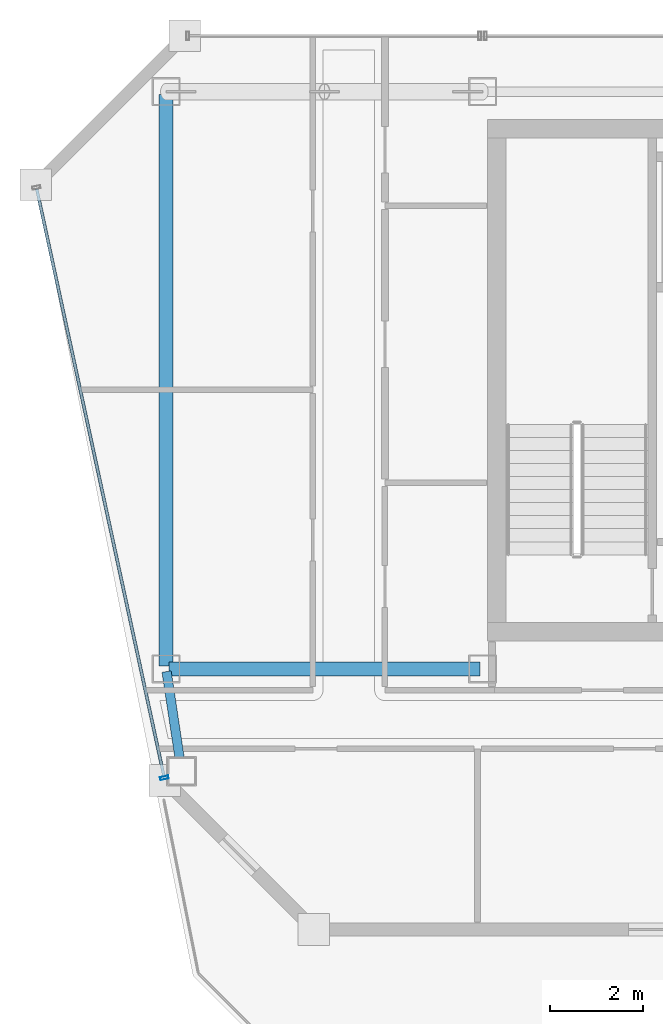
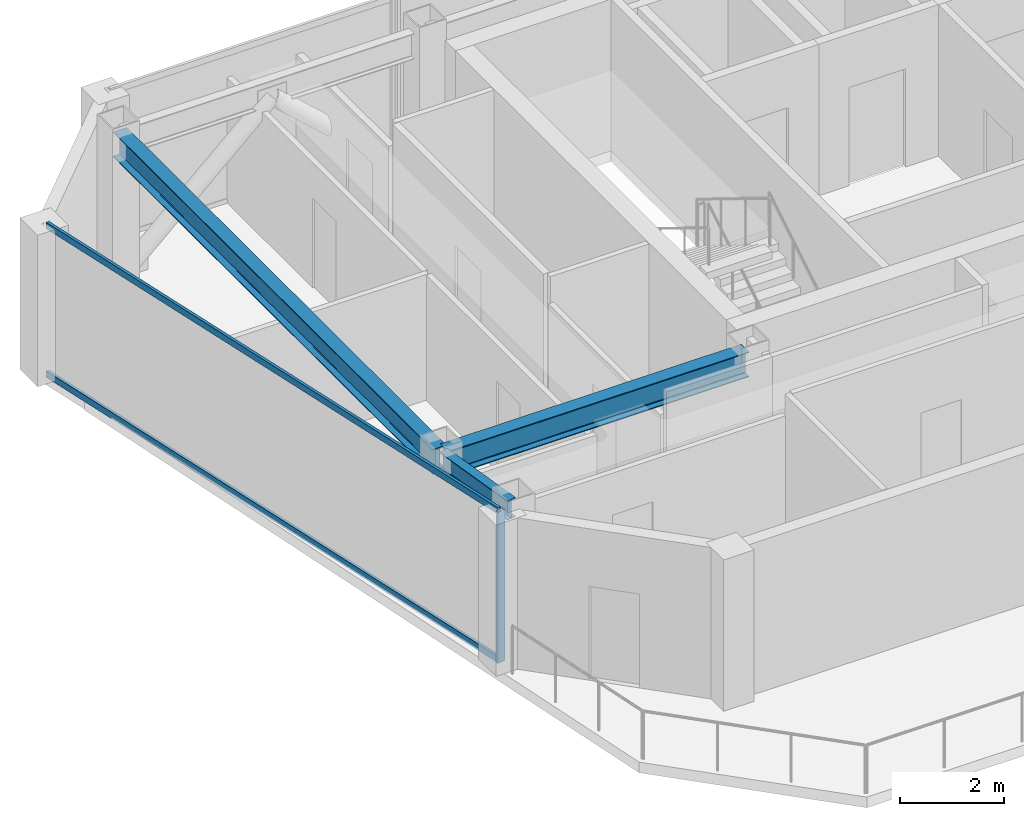
# One storey, part 2 of 17: 3 beams, 3 members, 1 element without a shape of its own.
"""IFC4 building model written with IfcOpenShell, lengths in metres."""

import ifcopenshell
import ifcopenshell.guid

model = None  # the IFC model being written
_history = None  # IfcOwnerHistory: only IFC2X3 demands one
_inside = {}  # id of a spatial element -> (the spatial element, [elements in it])
_under = {}  # id of a project, library or spatial element -> (it, [spatial elements below it])
_declared = {}  # id of a project -> (the project, [libraries it declares])
_typed = {}  # id of a type object -> (the type object, [elements of that type])
_made_of = {}  # id of a material, layer set ... -> (it, [elements and type objects made of it])


def new_model(schema):
    """Start an empty IFC model of exactly this schema.

    Asked for "IFC4X3", IfcOpenShell would pick the latest addendum, in which some entities
    have other attributes; the version numbers below select the first issue.
    IFC2X3 requires an IfcOwnerHistory on every rooted entity: one is made here for all.
    """
    global model, _history
    if schema == "IFC4X3":
        model = ifcopenshell.file(schema_version=(4, 3, 0, 0))
    else:
        model = ifcopenshell.file(schema=schema)
    _inside.clear()
    _under.clear()
    _declared.clear()
    _typed.clear()
    _made_of.clear()
    _history = None
    if model.schema == "IFC2X3":
        org = make("IfcOrganization", Name="unknown")
        user = make(
            "IfcPersonAndOrganization",
            ThePerson=make("IfcPerson", FamilyName="unknown"),
            TheOrganization=org,
        )
        app = make(
            "IfcApplication",
            ApplicationDeveloper=org,
            Version="unknown",
            ApplicationFullName="unknown",
            ApplicationIdentifier="unknown",
        )
        _history = make(
            "IfcOwnerHistory",
            OwningUser=user,
            OwningApplication=app,
            ChangeAction="ADDED",
            CreationDate=0,
        )
    return model


def make(cls, **values):
    """One entity of the class cls with the attributes given. An attribute that is None is left unset."""
    return model.create_entity(
        cls, **{name: value for name, value in values.items() if value is not None}
    )


def rooted(cls, **values):
    """An entity with a GlobalId (a new one), such as an element, a storey or a relation."""
    return make(cls, GlobalId=ifcopenshell.guid.new(), OwnerHistory=_history, **values)


def si_unit(unit_type, name, prefix=None):
    """IfcSIUnit, for example si_unit("LENGTHUNIT", "METRE", prefix="MILLI")."""
    return make("IfcSIUnit", UnitType=unit_type, Prefix=prefix, Name=name)


def assignment(units):
    """IfcUnitAssignment: the units of a project."""
    return None if units is None else make("IfcUnitAssignment", Units=units)


def point(xyz):
    """IfcCartesianPoint."""
    return None if xyz is None else make("IfcCartesianPoint", Coordinates=xyz)


def direction(xyz):
    """IfcDirection."""
    return None if xyz is None else make("IfcDirection", DirectionRatios=xyz)


def frame(location, z_axis=None, x_axis=None):
    """IfcAxis2Placement3D, a coordinate frame: its origin and axes. An axis left out is left unset."""
    return make(
        "IfcAxis2Placement3D",
        Location=point(location),
        Axis=direction(z_axis),
        RefDirection=direction(x_axis),
    )


def frame_2d(location, x_axis=None):
    """IfcAxis2Placement2D, a coordinate frame in the plane: its origin and x axis."""
    return make(
        "IfcAxis2Placement2D", Location=point(location), RefDirection=direction(x_axis)
    )


def origin():
    """The frame at (0, 0, 0) with its axes left unset."""
    return frame((0.0, 0.0, 0.0))


def origin_2d():
    """The frame at (0, 0) in the plane with its x axis left unset."""
    return frame_2d((0.0, 0.0))


def place(relative_to, where):
    """IfcLocalPlacement: puts the frame where relative to a parent placement (None: the world)."""
    return make(
        "IfcLocalPlacement", PlacementRelTo=relative_to, RelativePlacement=where
    )


def context(
    kind, dimensions, precision=None, world=None, true_north=None, identifier=None
):
    """IfcGeometricRepresentationContext, for example the 3D "Model" context."""
    return make(
        "IfcGeometricRepresentationContext",
        ContextIdentifier=identifier,
        ContextType=kind,
        CoordinateSpaceDimension=dimensions,
        Precision=precision,
        WorldCoordinateSystem=world,
        TrueNorth=true_north,
    )


def subcontext(parent, identifier, kind, view, scale=None):
    """IfcGeometricRepresentationSubContext, for example "Body" below "Model"."""
    return make(
        "IfcGeometricRepresentationSubContext",
        ContextIdentifier=identifier,
        ContextType=kind,
        ParentContext=parent,
        TargetScale=scale,
        TargetView=view,
    )


def project(units=None, contexts=None):
    """IfcProject with its units and contexts."""
    return rooted(
        "IfcProject",
        Name="project",
        RepresentationContexts=contexts,
        UnitsInContext=assignment(units),
    )


def spatial(cls, under=None, at=None, **own):
    """A site, building, storey or space (cls), placed at a placement, below another one or the project."""
    s = rooted(cls, ObjectPlacement=at, **own)
    if under is not None:
        _under.setdefault(under.id(), (under, []))[1].append(s)
    return s


def profile(cls, at=None, kind="AREA", **sizes):
    """A parametric profile (cls). Its sizes go by their IFC names, for example OverallWidth=200.0."""
    return make(cls, ProfileType=kind, Position=at, **sizes)


def hollow_rectangle(**sizes):
    """IfcRectangleHollowProfileDef."""
    return profile("IfcRectangleHollowProfileDef", **sizes)


def i_section(**sizes):
    """IfcIShapeProfileDef."""
    return profile("IfcIShapeProfileDef", **sizes)


def extrude(swept, where, along, depth):
    """IfcExtrudedAreaSolid: the profile swept, set in the frame where, extruded along a direction by depth."""
    return make(
        "IfcExtrudedAreaSolid",
        SweptArea=swept,
        Position=where,
        ExtrudedDirection=direction(along),
        Depth=depth,
    )


def shape(context_of_items, identifier, shape_type, items):
    """IfcShapeRepresentation: the items that make up one representation, for example the "Body"."""
    return make(
        "IfcShapeRepresentation",
        ContextOfItems=context_of_items,
        RepresentationIdentifier=identifier,
        RepresentationType=shape_type,
        Items=items,
    )


def material(Name=None, Category=None):
    """IfcMaterial."""
    return make("IfcMaterial", Name=Name, Category=Category)


def material_profile(
    of_material, cross_section, Name=None, Category=None, Priority=None
):
    """IfcMaterialProfile: a cross section and its material."""
    return make(
        "IfcMaterialProfile",
        Name=Name,
        Material=of_material,
        Profile=cross_section,
        Priority=Priority,
        Category=Category,
    )


def profile_set(profiles, Name=None, composite=None):
    """IfcMaterialProfileSet."""
    return make(
        "IfcMaterialProfileSet",
        Name=Name,
        MaterialProfiles=profiles,
        CompositeProfile=composite,
    )


def made_of(thing, what):
    """Note that an element or type object is made of a material, layer set ...; save() writes the relation."""
    if what is not None:
        _made_of.setdefault(what.id(), (what, []))[1].append(thing)
    return thing


def type_object(cls, material=None, **own):
    """A type object (cls), such as IfcWallType, which elements share."""
    return made_of(rooted(cls, **own), material)


def element(
    cls,
    number,
    at=None,
    inside=None,
    cuts=None,
    type_object=None,
    material=None,
    context=None,
    identifier="Body",
    shape_type=None,
    held_by="IfcProductDefinitionShape",
    body=None,
    shapes=None,
    **own,
):
    """One element of the class cls, such as IfcWall. Its Tag is "e" and its number.

    at: its placement. inside: the storey or other place that contains it. cuts: it is an
    opening in that element (IfcRelVoidsElement). A single representation is given by context,
    identifier, shape_type and body (its items); several are given by shapes. held_by: the class
    of the entity that holds the representations. save() writes the other relations.
    """
    e = rooted(cls, Tag="e%d" % number, ObjectPlacement=at, **own)
    if body is not None:
        shapes = [shape(context, identifier, shape_type, body)]
    if shapes is not None:
        e.Representation = make(held_by, Representations=shapes)
    if inside is not None:
        _inside.setdefault(inside.id(), (inside, []))[1].append(e)
    if cuts is not None:
        rooted(
            "IfcRelVoidsElement", RelatingBuildingElement=cuts, RelatedOpeningElement=e
        )
    if type_object is not None:
        _typed.setdefault(type_object.id(), (type_object, []))[1].append(e)
    return made_of(e, material)


def aggregate(whole, parts):
    """IfcRelAggregates: a whole, such as a stair, and the parts it consists of."""
    return rooted("IfcRelAggregates", RelatingObject=whole, RelatedObjects=parts)


def save(model, path):
    """Write the relations noted so far, then the file.

    IfcRelAggregates (storeys below a building ...), IfcRelContainedInSpatialStructure (elements
    in a storey), IfcRelDefinesByType, IfcRelAssociatesMaterial and IfcRelDeclares: one each for
    every whole, place, type object, material and project.
    """
    for whole, parts in _under.values():
        aggregate(whole, parts)
    for where, things in _inside.values():
        rooted(
            "IfcRelContainedInSpatialStructure",
            RelatedElements=things,
            RelatingStructure=where,
        )
    for kind, things in _typed.values():
        rooted("IfcRelDefinesByType", RelatedObjects=things, RelatingType=kind)
    for what, things in _made_of.values():
        rooted("IfcRelAssociatesMaterial", RelatedObjects=things, RelatingMaterial=what)
    for by, libraries in _declared.values():
        rooted("IfcRelDeclares", RelatingContext=by, RelatedDefinitions=libraries)
    model.write(path)


model = new_model("IFC4")

# Units and contexts
model_context = context("Model", 3, precision=1e-05, world=origin(), true_north=direction((0.0, 1.0)))
body_context = subcontext(model_context, "Body", "Model", "MODEL_VIEW")
ifc_project = project(units=[si_unit("LENGTHUNIT", "METRE"), si_unit("AREAUNIT", "SQUARE_METRE"), si_unit("VOLUMEUNIT", "CUBIC_METRE"), si_unit("PLANEANGLEUNIT", "RADIAN"), si_unit("MASSUNIT", "GRAM", prefix="KILO")], contexts=[model_context])

# Site, building, storey
site_placement = place(None, origin())
site = spatial("IfcSite", under=ifc_project, at=site_placement, CompositionType="ELEMENT")
building_placement = place(site_placement, origin())
building = spatial("IfcBuilding", under=site, at=building_placement, Name="Saevonmaru Cultural Tower", CompositionType="ELEMENT")
storey_placement = place(building_placement, frame((0.0, 0.0, 310.39990234375)))
storey = spatial("IfcBuildingStorey", under=building, at=storey_placement, Name="L74", CompositionType="ELEMENT", Elevation=310.39990234375)

# Beams
ifc_material_1 = material(Name="Steel SM355", Category="steel")
ifc_material_profile_1 = material_profile(ifc_material_1, i_section(OverallWidth=0.300048828125, OverallDepth=0.587890625, WebThickness=0.011962890625, FlangeThickness=0.02001953125, FilletRadius=0.02392578125, at=origin_2d()), Name="H-588x300x12x20")
ifc_profile_set_1 = profile_set([ifc_material_profile_1], Name="Steel SM355")
beam_type_1 = type_object("IfcBeamType", Name="BM-G-H588", PredefinedType="BEAM", material=ifc_profile_set_1)
beam_1_placement = place(storey_placement, frame((6.860107421875, 42.39990234375, 3.256103515625), z_axis=(1.0, 0.0, 0.0), x_axis=(0.0, 1.0, 0.0)))
element("IfcBeam", 1, at=beam_1_placement, inside=storey, type_object=beam_type_1, Name="L74 Core South Girder 1", PredefinedType="BEAM", context=body_context, shape_type="SweptSolid", body=[
    extrude(i_section(OverallWidth=0.300048828125, OverallDepth=0.587890625, WebThickness=0.011962890625, FlangeThickness=0.02001953125, FilletRadius=0.02392578125, at=origin_2d()), origin(), (0.0, 0.0, 1.0), 6.679931640625),
])
beam_2_placement = place(storey_placement, frame((6.800048828125, 54.739990234375, 3.256103515625), z_axis=(0.0, -1.0, 0.0), x_axis=(1.0, 0.0, 0.0)))
element("IfcBeam", 2, at=beam_2_placement, inside=storey, type_object=beam_type_1, Name="L74 Spine Transverse Girder W", PredefinedType="BEAM", context=body_context, shape_type="SweptSolid", body=[
    extrude(i_section(OverallWidth=0.300048828125, OverallDepth=0.587890625, WebThickness=0.011962890625, FlangeThickness=0.02001953125, FilletRadius=0.02392578125, at=origin_2d()), origin(), (0.0, 0.0, 1.0), 12.280029296875),
])
ifc_material_profile_2 = material_profile(ifc_material_1, i_section(OverallWidth=0.199951171875, OverallDepth=0.449951171875, WebThickness=0.009033203125, FlangeThickness=0.013916015625, FilletRadius=0.01806640625, at=origin_2d()), Name="H-450x200x9x14")
ifc_profile_set_2 = profile_set([ifc_material_profile_2], Name="Steel SM355")
beam_type_2 = type_object("IfcBeamType", Name="BM-SP-H450", PredefinedType="SPANDREL", material=ifc_profile_set_2)
beam_3_placement = place(storey_placement, frame((7.123046875, 40.25927734375, 3.3251953125), z_axis=(-0.149145717006, 0.988815227987, 0.0), x_axis=(-0.988815227987, -0.149145717006, 0.0)))
element("IfcBeam", 3, at=beam_3_placement, inside=storey, type_object=beam_type_2, Name="L74 West Splayed Spandrel 1", PredefinedType="SPANDREL", context=body_context, shape_type="SweptSolid", body=[
    extrude(i_section(OverallWidth=0.199951171875, OverallDepth=0.449951171875, WebThickness=0.009033203125, FlangeThickness=0.013916015625, FilletRadius=0.01806640625, at=origin_2d()), origin(), (0.0, 0.0, 1.0), 2.10498046875),
])

# Curtain wall, members
ifc_material_2 = material(Name="Satin Bronze Anodised Aluminium", Category="aluminium")
curtain_wall_type = type_object("IfcCurtainWallType", Name="CW-TYP-B", PredefinedType="NOTDEFINED", material=ifc_material_2)
curtain_wall_placement = place(storey_placement, origin())
curtain_wall = element("IfcCurtainWall", 4, at=curtain_wall_placement, inside=storey, type_object=curtain_wall_type, Name="L74 Unitised Curtain Wall E12", PredefinedType="NOTDEFINED")
ifc_material_profile_3 = material_profile(ifc_material_2, hollow_rectangle(XDim=0.06494140625, YDim=0.179931640625, WallThickness=0.00390625, at=origin_2d()), Name="ALU-MULL-180x65x4")
ifc_profile_set_3 = profile_set([ifc_material_profile_3], Name="Satin Bronze Anodised Aluminium")
member_type_1 = type_object("IfcMemberType", Name="ML-CW-180x65", PredefinedType="MULLION", material=ifc_profile_set_3)
member_1_placement = place(storey_placement, frame((6.760498046875, 40.05859375, 0.0), z_axis=(0.0, 0.0, 1.0), x_axis=(0.211750401587, -0.977323778196, 0.0)))
member_1 = element("IfcMember", 5, at=member_1_placement, type_object=member_type_1, Name="CW-TW-L74-E12 mullion 2", PredefinedType="MULLION", context=body_context, shape_type="SweptSolid", body=[
    extrude(hollow_rectangle(XDim=0.06494140625, YDim=0.179931640625, WallThickness=0.00390625, at=origin_2d()), origin(), (0.0, 0.0, 1.0), 3.550048828125),
])
ifc_material_profile_4 = material_profile(ifc_material_2, hollow_rectangle(XDim=0.06494140625, YDim=0.14990234375, WallThickness=0.00390625, at=origin_2d()), Name="ALU-TRAN-150x65x4")
ifc_profile_set_4 = profile_set([ifc_material_profile_4], Name="Satin Bronze Anodised Aluminium")
member_type_2 = type_object("IfcMemberType", Name="TR-CW-150x65", PredefinedType="USERDEFINED", material=ifc_profile_set_4)
member_2_placement = place(storey_placement, frame((4.01953125, 52.709716796875, 0.03271484375), z_axis=(0.211748230013, -0.977324248695, 0.0), x_axis=(0.977324248695, 0.211748230013, 0.0)))
member_2 = element("IfcMember", 6, at=member_2_placement, type_object=member_type_2, Name="CW-TW-L74-E12 transom 1.1", ObjectType="TRANSOM", PredefinedType="USERDEFINED", context=body_context, shape_type="SweptSolid", body=[
    extrude(hollow_rectangle(XDim=0.06494140625, YDim=0.14990234375, WallThickness=0.00390625, at=origin_2d()), origin(), (0.0, 0.0, 1.0), 12.912109375),
])
member_3_placement = place(storey_placement, frame((4.01953125, 52.709716796875, 3.517578125), z_axis=(0.211748230013, -0.977324248695, 0.0), x_axis=(0.977324248695, 0.211748230013, 0.0)))
member_3 = element("IfcMember", 7, at=member_3_placement, type_object=member_type_2, Name="CW-TW-L74-E12 transom 1.2", ObjectType="TRANSOM", PredefinedType="USERDEFINED", context=body_context, shape_type="SweptSolid", body=[
    extrude(hollow_rectangle(XDim=0.06494140625, YDim=0.14990234375, WallThickness=0.00390625, at=origin_2d()), origin(), (0.0, 0.0, 1.0), 12.912109375),
])
aggregate(curtain_wall, [member_1, member_2, member_3])

save(model, "model.ifc")
